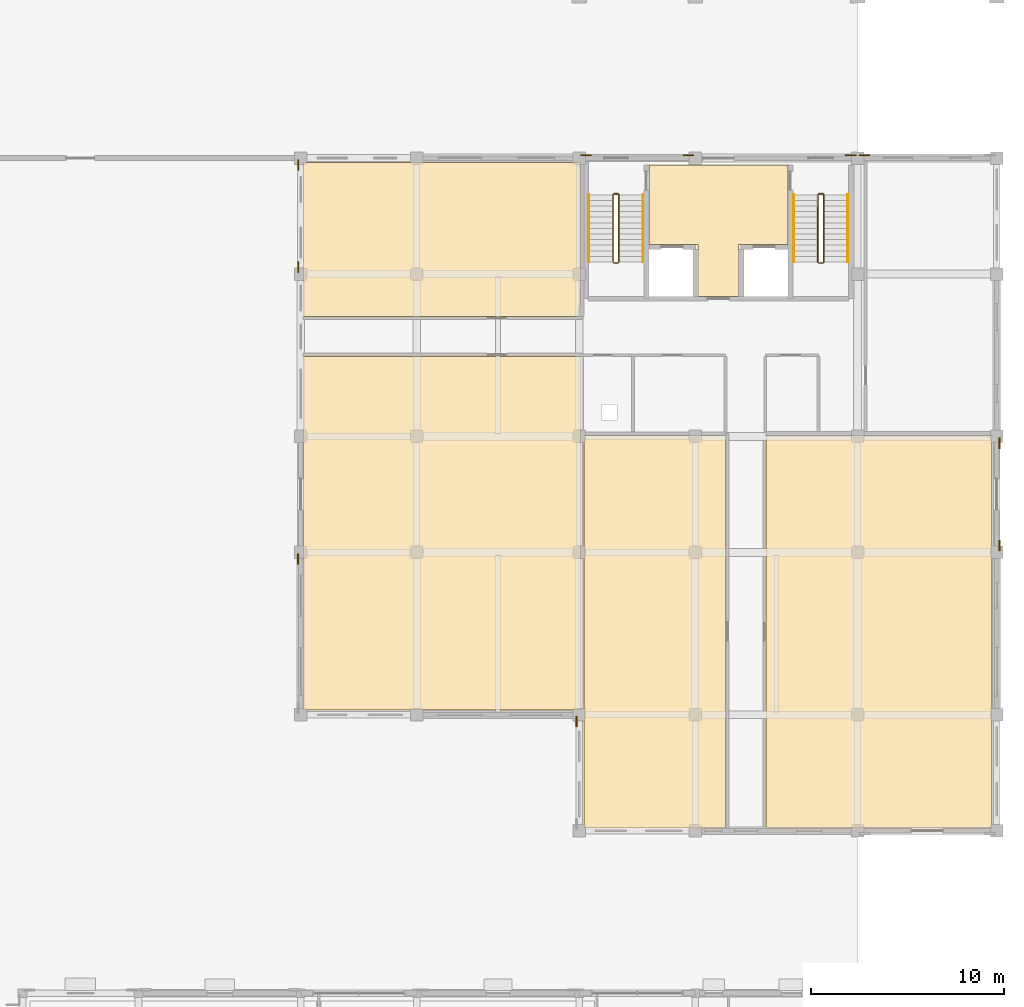
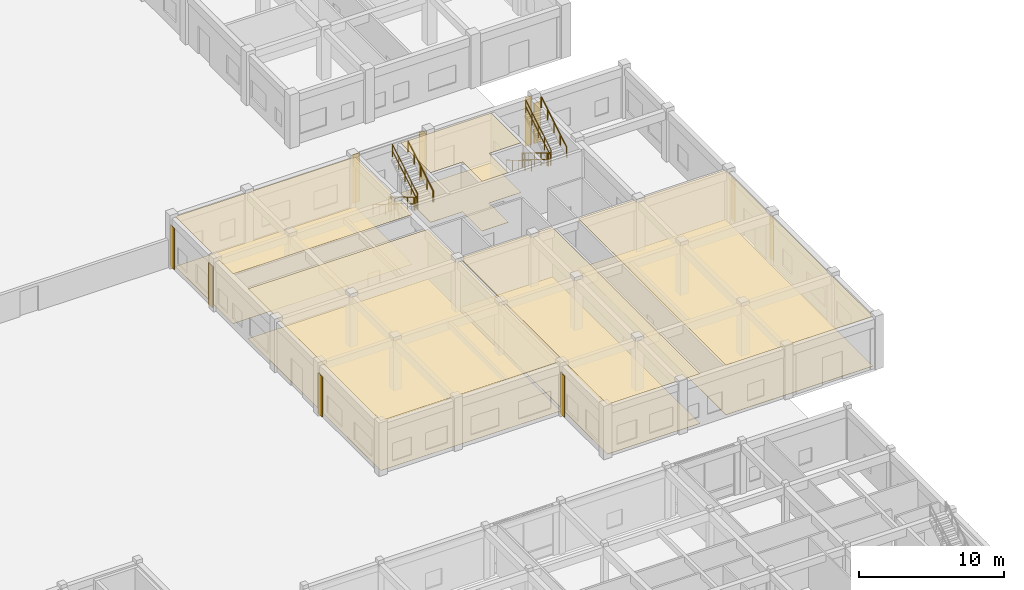
# One storey, part 64 of 67: 20 coverings, 12 railings.
"""IFC4 building model written with IfcOpenShell, lengths in metres."""

from ifc_helpers import new_model, si_unit, direction, frame, origin, origin_2d, place, context, subcontext, project, spatial, polyline, rectangle, outline, extrude, material, layer, layer_set, type_object, element, save


model = new_model("IFC4")

# Units and contexts
model_context = context("Model", 3, precision=1e-05, world=origin(), true_north=direction((0.0, 1.0)))
body_context = subcontext(model_context, "Body", "Model", "MODEL_VIEW")
ifc_project = project(units=[si_unit("LENGTHUNIT", "METRE"), si_unit("AREAUNIT", "SQUARE_METRE"), si_unit("VOLUMEUNIT", "CUBIC_METRE"), si_unit("PLANEANGLEUNIT", "RADIAN"), si_unit("MASSUNIT", "GRAM", prefix="KILO"), si_unit("THERMODYNAMICTEMPERATUREUNIT", "KELVIN")], contexts=[model_context])

# Site, building, storey
site_placement = place(None, origin())
site = spatial("IfcSite", under=ifc_project, at=site_placement, CompositionType="ELEMENT")
building_placement = place(site_placement, origin())
building = spatial("IfcBuilding", under=site, at=building_placement, Name="Thalorik Housing Commons", CompositionType="ELEMENT")
storey_placement = place(building_placement, origin())
storey = spatial("IfcBuildingStorey", under=building, at=storey_placement, Name="L00", CompositionType="ELEMENT", Elevation=0.0)

# Coverings
ifc_material_1 = material(Name="Cobalt blue glazed ceramic facade tile panel", Category="masonry")
ifc_layer_1 = layer(ifc_material_1, 0.06005859375, Name="Cobalt blue glazed ceramic facade tile panel", Category="masonry")
ifc_layer_set_1 = layer_set([ifc_layer_1], Name="Cobalt blue glazed ceramic facade tile panel")
covering_type_1 = type_object("IfcCoveringType", Name="ARC-CLD-BLU-60", PredefinedType="CLADDING", material=ifc_layer_set_1)
covering_1_placement = place(storey_placement, frame((152.260498046875, 42.85009765625, 0.0498046875), z_axis=(0.0, 0.0, 1.0), x_axis=(0.0, -1.0, 0.0)))
element("IfcCovering", 1, at=covering_1_placement, inside=storey, type_object=covering_type_1, Name="L00 Architectural Facade Cladding 4529", PredefinedType="CLADDING", context=body_context, shape_type="SweptSolid", body=[
    extrude(rectangle(XDim=0.550048828125, YDim=0.06005859375, at=origin_2d()), origin(), (0.0, 0.0, 1.0), 3.485107421875),
])
covering_2_placement = place(storey_placement, frame((166.449951171875, 72.139404296875, 0.050048828125), z_axis=(0.0, 0.0, 1.0), x_axis=(-1.0, 0.0, 0.0)))
element("IfcCovering", 2, at=covering_2_placement, inside=storey, type_object=covering_type_1, Name="L00 Architectural Facade Cladding 4537", PredefinedType="CLADDING", context=body_context, shape_type="SweptSolid", body=[
    extrude(rectangle(XDim=0.550048828125, YDim=0.06005859375, at=origin_2d()), origin(), (0.0, 0.0, 1.0), 4.10009765625),
])
ifc_material_2 = material(Name="Precast concrete C40/50", Category="concrete")
ifc_layer_2 = layer(ifc_material_2, 0.074951171875, Name="Precast concrete C40/50", Category="concrete")
ifc_layer_set_2 = layer_set([ifc_layer_2], Name="Precast concrete C40/50")
covering_type_2 = type_object("IfcCoveringType", Name="ARC-CLD-PIER-75", PredefinedType="CLADDING", material=ifc_layer_set_2)
covering_3_placement = place(storey_placement, frame((137.85302734375, 51.25, 0.0498046875), z_axis=(0.0, 0.0, 1.0), x_axis=(0.0, -1.0, 0.0)))
element("IfcCovering", 3, at=covering_3_placement, inside=storey, type_object=covering_type_2, Name="L00 Architectural Facade Cladding 4527", PredefinedType="CLADDING", context=body_context, shape_type="SweptSolid", body=[
    extrude(rectangle(XDim=0.550048828125, YDim=0.074951171875, at=origin_2d()), origin(), (0.0, 0.0, 1.0), 3.385009765625),
])
ifc_material_3 = material(Name="Terracotta red mineral fibre-cement panel", Category="masonry")
ifc_layer_3 = layer(ifc_material_3, 0.054931640625, Name="Terracotta red mineral fibre-cement panel", Category="masonry")
ifc_layer_set_3 = layer_set([ifc_layer_3], Name="Terracotta red mineral fibre-cement panel")
covering_type_3 = type_object("IfcCoveringType", Name="ARC-CLD-RED-55", PredefinedType="CLADDING", material=ifc_layer_set_3)
for number, where, z_axis, x_axis, name in (
    (4, (137.863037109375, 71.64990234375, 0.0498046875), (0.0, 0.0, 1.0), (0.0, -1.0, 0.0), "L00 Architectural Facade Cladding 4525"),
    (5, (137.863037109375, 66.35009765625, 0.0498046875), (0.0, 0.0, 1.0), (0.0, -1.0, 0.0), "L00 Architectural Facade Cladding 4526"),
):
    element("IfcCovering", number, at=place(storey_placement, frame(where, z_axis=z_axis, x_axis=x_axis)), inside=storey, type_object=covering_type_3, Name=name, PredefinedType="CLADDING", context=body_context, shape_type="SweptSolid", body=[
        extrude(rectangle(XDim=0.550048828125, YDim=0.054931640625, at=origin_2d()), origin(), (0.0, 0.0, 1.0), 3.485107421875),
    ])
covering_4_placement = place(storey_placement, frame((167.14990234375, 72.136962890625, 0.0498046875), z_axis=(0.0, 0.0, 1.0), x_axis=(-1.0, 0.0, 0.0)))
element("IfcCovering", 6, at=covering_4_placement, inside=storey, type_object=covering_type_3, Name="L00 Architectural Facade Cladding 4536", PredefinedType="CLADDING", context=body_context, shape_type="SweptSolid", body=[
    extrude(rectangle(XDim=0.550048828125, YDim=0.054931640625, at=origin_2d()), origin(), (0.0, 0.0, 1.0), 3.385009765625),
])
ifc_material_4 = material(Name="Mineral ochre architectural terracotta panel", Category="masonry")
ifc_layer_4 = layer(ifc_material_4, 0.06494140625, Name="Mineral ochre architectural terracotta panel", Category="masonry")
ifc_layer_set_4 = layer_set([ifc_layer_4], Name="Mineral ochre architectural terracotta panel")
covering_type_4 = type_object("IfcCoveringType", Name="ARC-CLD-YEL-65", PredefinedType="CLADDING", material=ifc_layer_set_4)
for number, where, z_axis, x_axis, name in (
    (7, (174.14208984375, 51.949951171875, 0.0498046875), (0.0, 0.0, 1.0), (0.0, 1.0, 0.0), "L00 Architectural Facade Cladding 4533"),
    (8, (174.14208984375, 57.25, 0.0498046875), (0.0, 0.0, 1.0), (0.0, 1.0, 0.0), "L00 Architectural Facade Cladding 4534"),
):
    element("IfcCovering", number, at=place(storey_placement, frame(where, z_axis=z_axis, x_axis=x_axis)), inside=storey, type_object=covering_type_4, Name=name, PredefinedType="CLADDING", context=body_context, shape_type="SweptSolid", body=[
        extrude(rectangle(XDim=0.550048828125, YDim=0.06494140625, at=origin_2d()), origin(), (0.0, 0.0, 1.0), 3.485107421875),
    ])
for number, where, z_axis, x_axis, name in (
    (9, (158.050048828125, 72.14208984375, 0.050048828125), (0.0, 0.0, 1.0), (-1.0, 0.0, 0.0), "L00 Architectural Facade Cladding 4538"),
    (10, (152.75, 72.14208984375, 0.050048828125), (0.0, 0.0, 1.0), (-1.0, 0.0, 0.0), "L00 Architectural Facade Cladding 4539"),
):
    element("IfcCovering", number, at=place(storey_placement, frame(where, z_axis=z_axis, x_axis=x_axis)), inside=storey, type_object=covering_type_4, Name=name, PredefinedType="CLADDING", context=body_context, shape_type="SweptSolid", body=[
        extrude(rectangle(XDim=0.550048828125, YDim=0.06494140625, at=origin_2d()), origin(), (0.0, 0.0, 1.0), 4.10009765625),
    ])
ifc_material_5 = material(Name="Perforated acoustic gypsum ceiling board")
ifc_layer_5 = layer(ifc_material_5, 0.014892578125, Name="Perforated acoustic gypsum ceiling board")
ifc_layer_set_5 = layer_set([ifc_layer_5], Name="Perforated acoustic gypsum ceiling board")
covering_type_5 = type_object("IfcCoveringType", Name="ARC-COV-CEIL-01", PredefinedType="CEILING", material=ifc_layer_set_5)
covering_5_placement = place(storey_placement, frame((0.0, 0.0, 4.18505859375)))
element("IfcCovering", 11, at=covering_5_placement, inside=storey, type_object=covering_type_5, Name="L00 Residents Lounge Suspended Ceiling", PredefinedType="CEILING", context=body_context, shape_type="SweptSolid", body=[
    extrude(outline(polyline([(152.4599609375, 43.43994140625), (152.4599609375, 61.739990234375), (138.139892578125, 61.739990234375), (138.139892578125, 43.43994140625), (152.4599609375, 43.43994140625)])), origin(), (0.0, 0.0, 1.0), 0.014892578125),
])
ifc_material_6 = material(Name="Mineral fibre acoustic ceiling tile")
ifc_layer_6 = layer(ifc_material_6, 0.01806640625, Name="Mineral fibre acoustic ceiling tile")
ifc_layer_set_6 = layer_set([ifc_layer_6], Name="Mineral fibre acoustic ceiling tile")
covering_type_6 = type_object("IfcCoveringType", Name="ARC-COV-CEIL-02", PredefinedType="CEILING", material=ifc_layer_set_6)
covering_6_placement = place(storey_placement, frame((0.0, 0.0, 4.181884765625)))
element("IfcCovering", 12, at=covering_6_placement, inside=storey, type_object=covering_type_6, Name="L00 Residents Cooperative Library Suspended Ceiling", PredefinedType="CEILING", context=body_context, shape_type="SweptSolid", body=[
    extrude(outline(polyline([(138.139892578125, 63.800048828125), (152.385009765625, 63.800048828125), (152.38671875, 64.357177734375), (152.400146484375, 64.364990234375), (152.4599609375, 64.364990234375), (152.4599609375, 71.760009765625), (138.139892578125, 71.760009765625), (138.139892578125, 63.800048828125)])), origin(), (0.0, 0.0, 1.0), 0.01806640625),
])
ifc_material_7 = material(Name="Slatted timber acoustic hall baffle ceiling", Category="wood")
ifc_layer_7 = layer(ifc_material_7, 0.02197265625, Name="Slatted timber acoustic hall baffle ceiling", Category="wood")
ifc_layer_set_7 = layer_set([ifc_layer_7], Name="Slatted timber acoustic hall baffle ceiling")
covering_type_7 = type_object("IfcCoveringType", Name="ARC-COV-CEIL-03", PredefinedType="CEILING", material=ifc_layer_set_7)
covering_7_placement = place(storey_placement, frame((0.0, 0.0, 4.177978515625)))
element("IfcCovering", 13, at=covering_7_placement, inside=storey, type_object=covering_type_7, Name="L00 Block D Lift Lobby Suspended Ceiling", PredefinedType="CEILING", context=body_context, shape_type="SweptSolid", body=[
    extrude(outline(polyline([(158.550048828125, 64.85009765625), (160.64990234375, 64.85009765625), (160.650146484375, 67.52001953125), (163.199951171875, 67.52001953125), (163.199951171875, 71.64990234375), (156.0, 71.64990234375), (156.0, 67.52001953125), (158.550048828125, 67.52001953125), (158.550048828125, 64.85009765625)])), origin(), (0.0, 0.0, 1.0), 0.02197265625),
])
ifc_material_8 = material(Name="Fire-rated calcium silicate corridor ceiling")
ifc_layer_8 = layer(ifc_material_8, 0.030029296875, Name="Fire-rated calcium silicate corridor ceiling")
ifc_layer_set_8 = layer_set([ifc_layer_8], Name="Fire-rated calcium silicate corridor ceiling")
covering_type_8 = type_object("IfcCoveringType", Name="ARC-COV-CEIL-05", PredefinedType="CEILING", material=ifc_layer_set_8)
covering_8_placement = place(storey_placement, frame((0.0, 0.0, 4.169921875)))
element("IfcCovering", 14, at=covering_8_placement, inside=storey, type_object=covering_type_8, Name="L00 Residents Lounge Suspended Ceiling", PredefinedType="CEILING", context=body_context, shape_type="SweptSolid", body=[
    extrude(outline(polyline([(160.0, 57.659912109375), (152.639892578125, 57.659912109375), (152.639892578125, 37.340087890625), (160.0, 37.340087890625), (160.0, 57.659912109375)])), origin(), (0.0, 0.0, 1.0), 0.030029296875),
])
ifc_material_9 = material(Name="Acoustic wood-wool nursery ceiling panel", Category="wood")
ifc_layer_9 = layer(ifc_material_9, 0.035888671875, Name="Acoustic wood-wool nursery ceiling panel", Category="wood")
ifc_layer_set_9 = layer_set([ifc_layer_9], Name="Acoustic wood-wool nursery ceiling panel")
covering_type_9 = type_object("IfcCoveringType", Name="ARC-COV-CEIL-06", PredefinedType="CEILING", material=ifc_layer_set_9)
covering_9_placement = place(storey_placement, frame((0.0, 0.0, 4.1640625)))
element("IfcCovering", 15, at=covering_9_placement, inside=storey, type_object=covering_type_9, Name="L00 Residents Cooperative Library Suspended Ceiling", PredefinedType="CEILING", context=body_context, shape_type="SweptSolid", body=[
    extrude(outline(polyline([(173.760009765625, 57.659912109375), (162.06005859375, 57.659912109375), (162.06005859375, 37.340087890625), (173.760009765625, 37.340087890625), (173.760009765625, 57.659912109375)])), origin(), (0.0, 0.0, 1.0), 0.035888671875),
])
ifc_material_10 = material(Name="Glazed Recife ceramic apartment floor tile")
ifc_layer_10 = layer(ifc_material_10, 0.011962890625, Name="Glazed Recife ceramic apartment floor tile")
ifc_layer_set_10 = layer_set([ifc_layer_10], Name="Glazed Recife ceramic apartment floor tile")
covering_type_10 = type_object("IfcCoveringType", Name="ARC-COV-FLR-01", PredefinedType="FLOORING", material=ifc_layer_set_10)
covering_10_placement = place(storey_placement, origin())
element("IfcCovering", 16, at=covering_10_placement, inside=storey, type_object=covering_type_10, Name="L00 Residents Lounge Flooring", PredefinedType="FLOORING", context=body_context, shape_type="SweptSolid", body=[
    extrude(outline(polyline([(152.4599609375, 43.43994140625), (152.4599609375, 61.739990234375), (138.139892578125, 61.739990234375), (138.139892578125, 43.43994140625), (152.4599609375, 43.43994140625)])), origin(), (0.0, 0.0, 1.0), 0.011962890625),
])
ifc_material_11 = material(Name="Slip-resistant quarry terracotta corridor tile", Category="masonry")
ifc_layer_11 = layer(ifc_material_11, 0.01611328125, Name="Slip-resistant quarry terracotta corridor tile", Category="masonry")
ifc_layer_set_11 = layer_set([ifc_layer_11], Name="Slip-resistant quarry terracotta corridor tile")
covering_type_11 = type_object("IfcCoveringType", Name="ARC-COV-FLR-02", PredefinedType="FLOORING", material=ifc_layer_set_11)
covering_11_placement = place(storey_placement, origin())
element("IfcCovering", 17, at=covering_11_placement, inside=storey, type_object=covering_type_11, Name="L00 Residents Cooperative Library Flooring", PredefinedType="FLOORING", context=body_context, shape_type="SweptSolid", body=[
    extrude(outline(polyline([(138.139892578125, 63.800048828125), (152.385009765625, 63.800048828125), (152.38671875, 64.357177734375), (152.400146484375, 64.364990234375), (152.4599609375, 64.364990234375), (152.4599609375, 71.760009765625), (138.139892578125, 71.760009765625), (138.139892578125, 63.800048828125)])), origin(), (0.0, 0.0, 1.0), 0.01611328125),
])
ifc_material_12 = material(Name="Cushioned natural linoleum nursery playroom flooring")
ifc_layer_12 = layer(ifc_material_12, 0.02001953125, Name="Cushioned natural linoleum nursery playroom flooring")
ifc_layer_set_12 = layer_set([ifc_layer_12], Name="Cushioned natural linoleum nursery playroom flooring")
covering_type_12 = type_object("IfcCoveringType", Name="ARC-COV-FLR-03", PredefinedType="FLOORING", material=ifc_layer_set_12)
covering_12_placement = place(storey_placement, origin())
element("IfcCovering", 18, at=covering_12_placement, inside=storey, type_object=covering_type_12, Name="L00 Block D Lift Lobby Flooring", PredefinedType="FLOORING", context=body_context, shape_type="SweptSolid", body=[
    extrude(outline(polyline([(158.550048828125, 64.85009765625), (160.64990234375, 64.85009765625), (160.650146484375, 67.52001953125), (163.199951171875, 67.52001953125), (163.199951171875, 71.64990234375), (156.0, 71.64990234375), (156.0, 67.52001953125), (158.550048828125, 67.52001953125), (158.550048828125, 64.85009765625)])), origin(), (0.0, 0.0, 1.0), 0.02001953125),
])
ifc_material_13 = material(Name="Heavy-duty porcelain metro vestibule tile")
ifc_layer_13 = layer(ifc_material_13, 0.028076171875, Name="Heavy-duty porcelain metro vestibule tile")
ifc_layer_set_13 = layer_set([ifc_layer_13], Name="Heavy-duty porcelain metro vestibule tile")
covering_type_13 = type_object("IfcCoveringType", Name="ARC-COV-FLR-05", PredefinedType="FLOORING", material=ifc_layer_set_13)
covering_13_placement = place(storey_placement, origin())
element("IfcCovering", 19, at=covering_13_placement, inside=storey, type_object=covering_type_13, Name="L00 Residents Lounge Flooring", PredefinedType="FLOORING", context=body_context, shape_type="SweptSolid", body=[
    extrude(outline(polyline([(160.0, 57.659912109375), (152.639892578125, 57.659912109375), (152.639892578125, 37.340087890625), (160.0, 37.340087890625), (160.0, 57.659912109375)])), origin(), (0.0, 0.0, 1.0), 0.028076171875),
])
ifc_material_14 = material(Name="Epoxy-sealed concrete plant and bicycle hub finish", Category="concrete")
ifc_layer_14 = layer(ifc_material_14, 0.031982421875, Name="Epoxy-sealed concrete plant and bicycle hub finish", Category="concrete")
ifc_layer_set_14 = layer_set([ifc_layer_14], Name="Epoxy-sealed concrete plant and bicycle hub finish")
covering_type_14 = type_object("IfcCoveringType", Name="ARC-COV-FLR-06", PredefinedType="FLOORING", material=ifc_layer_set_14)
covering_14_placement = place(storey_placement, origin())
element("IfcCovering", 20, at=covering_14_placement, inside=storey, type_object=covering_type_14, Name="L00 Residents Cooperative Library Flooring", PredefinedType="FLOORING", context=body_context, shape_type="SweptSolid", body=[
    extrude(outline(polyline([(173.760009765625, 57.659912109375), (162.06005859375, 57.659912109375), (162.06005859375, 37.340087890625), (173.760009765625, 37.340087890625), (173.760009765625, 57.659912109375)])), origin(), (0.0, 0.0, 1.0), 0.031982421875),
])

# Railings
ifc_material_15 = material(Name="Steel S355", Category="steel")
railing_type_1 = type_object("IfcRailingType", Name="ARC-RL-STR-GRD110", PredefinedType="GUARDRAIL", material=ifc_material_15)
railing_1_placement = place(storey_placement, frame((154.14990234375, 70.10009765625, 0.173095703125)))
element("IfcRailing", 21, at=railing_1_placement, inside=storey, type_object=railing_type_1, Name="L00 ST-D1 stair guard 1", PredefinedType="GUARDRAIL", context=body_context, shape_type="SweptSolid", body=[
    extrude(rectangle(XDim=0.048095703125, YDim=0.048095703125, at=origin_2d()), frame((0.0, 0.0, 1.076171875), z_axis=(0.0, -0.858697190188, 0.512483302717), x_axis=(1.0, 0.0, 0.0)), (0.0, 0.0, 1.0), 4.052734375),
    extrude(rectangle(XDim=0.048095703125, YDim=0.048095703125, at=origin_2d()), frame((0.0, 0.0, 0.52587890625), z_axis=(0.0, -0.858697190188, 0.512483302717), x_axis=(1.0, 0.0, 0.0)), (0.0, 0.0, 1.0), 4.052734375),
    extrude(rectangle(XDim=0.0419921875, YDim=0.0419921875, at=origin_2d()), origin(), (0.0, 0.0, 1.0), 1.052001953125),
    extrude(rectangle(XDim=0.0419921875, YDim=0.0419921875, at=origin_2d()), frame((0.0, -0.8701171875, 0.519287109375)), (0.0, 0.0, 1.0), 1.052001953125),
    extrude(rectangle(XDim=0.0419921875, YDim=0.0419921875, at=origin_2d()), frame((0.0, -1.739990234375, 1.03857421875)), (0.0, 0.0, 1.0), 1.052001953125),
    extrude(rectangle(XDim=0.0419921875, YDim=0.0419921875, at=origin_2d()), frame((0.0, -2.60986328125, 1.5576171875)), (0.0, 0.0, 1.0), 1.052001953125),
    extrude(rectangle(XDim=0.0419921875, YDim=0.0419921875, at=origin_2d()), frame((0.0, -3.47998046875, 2.076904296875)), (0.0, 0.0, 1.0), 1.052001953125),
])
railing_2_placement = place(storey_placement, frame((154.199951171875, 66.570068359375, 2.25)))
element("IfcRailing", 22, at=railing_2_placement, inside=storey, type_object=railing_type_1, Name="L00 ST-D1 stair guard 2", PredefinedType="GUARDRAIL", context=body_context, shape_type="SweptSolid", body=[
    extrude(rectangle(XDim=0.048095703125, YDim=0.048095703125, at=origin_2d()), frame((0.0, 0.0, 1.076171875), z_axis=(1.0, 0.0, 0.0), x_axis=(0.0, 1.0, 0.0)), (0.0, 0.0, 1.0), 0.199951171875),
    extrude(rectangle(XDim=0.048095703125, YDim=0.048095703125, at=origin_2d()), frame((0.0, 0.0, 0.52587890625), z_axis=(1.0, 0.0, 0.0), x_axis=(0.0, 1.0, 0.0)), (0.0, 0.0, 1.0), 0.199951171875),
    extrude(rectangle(XDim=0.0419921875, YDim=0.0419921875, at=origin_2d()), origin(), (0.0, 0.0, 1.0), 1.052001953125),
    extrude(rectangle(XDim=0.0419921875, YDim=0.0419921875, at=origin_2d()), frame((0.199951171875, 0.0, 0.0)), (0.0, 0.0, 1.0), 1.052001953125),
])
railing_3_placement = place(storey_placement, frame((154.449951171875, 66.6201171875, 2.423095703125)))
element("IfcRailing", 23, at=railing_3_placement, inside=storey, type_object=railing_type_1, Name="L00 ST-D1 stair guard 3", PredefinedType="GUARDRAIL", context=body_context, shape_type="SweptSolid", body=[
    extrude(rectangle(XDim=0.048095703125, YDim=0.048095703125, at=origin_2d()), frame((0.0, 0.0, 1.076171875), z_axis=(0.0, 0.858697190188, 0.512483302717), x_axis=(-1.0, 0.0, 0.0)), (0.0, 0.0, 1.0), 4.052734375),
    extrude(rectangle(XDim=0.048095703125, YDim=0.048095703125, at=origin_2d()), frame((0.0, 0.0, 0.52587890625), z_axis=(0.0, 0.858697190188, 0.512483302717), x_axis=(-1.0, 0.0, 0.0)), (0.0, 0.0, 1.0), 4.052734375),
    extrude(rectangle(XDim=0.0419921875, YDim=0.0419921875, at=origin_2d()), origin(), (0.0, 0.0, 1.0), 1.052001953125),
    extrude(rectangle(XDim=0.0419921875, YDim=0.0419921875, at=origin_2d()), frame((0.0, 0.8701171875, 0.519287109375)), (0.0, 0.0, 1.0), 1.052001953125),
    extrude(rectangle(XDim=0.0419921875, YDim=0.0419921875, at=origin_2d()), frame((0.0, 1.739990234375, 1.03857421875)), (0.0, 0.0, 1.0), 1.052001953125),
    extrude(rectangle(XDim=0.0419921875, YDim=0.0419921875, at=origin_2d()), frame((0.0, 2.60986328125, 1.5576171875)), (0.0, 0.0, 1.0), 1.052001953125),
    extrude(rectangle(XDim=0.0419921875, YDim=0.0419921875, at=origin_2d()), frame((0.0, 3.47998046875, 2.076904296875)), (0.0, 0.0, 1.0), 1.052001953125),
])
railing_4_placement = place(storey_placement, frame((154.199951171875, 70.14990234375, 0.0)))
element("IfcRailing", 24, at=railing_4_placement, inside=storey, type_object=railing_type_1, Name="L00 ST-D1 stair guard 4", PredefinedType="GUARDRAIL", context=body_context, shape_type="SweptSolid", body=[
    extrude(rectangle(XDim=0.048095703125, YDim=0.048095703125, at=origin_2d()), frame((0.0, 0.0, 1.076171875), z_axis=(1.0, 0.0, 0.0), x_axis=(0.0, 1.0, 0.0)), (0.0, 0.0, 1.0), 0.199951171875),
    extrude(rectangle(XDim=0.048095703125, YDim=0.048095703125, at=origin_2d()), frame((0.0, 0.0, 0.52587890625), z_axis=(1.0, 0.0, 0.0), x_axis=(0.0, 1.0, 0.0)), (0.0, 0.0, 1.0), 0.199951171875),
    extrude(rectangle(XDim=0.0419921875, YDim=0.0419921875, at=origin_2d()), origin(), (0.0, 0.0, 1.0), 1.052001953125),
    extrude(rectangle(XDim=0.0419921875, YDim=0.0419921875, at=origin_2d()), frame((0.199951171875, 0.0, 0.0)), (0.0, 0.0, 1.0), 1.052001953125),
])
railing_5_placement = place(storey_placement, frame((164.75, 70.10009765625, 0.173095703125)))
element("IfcRailing", 25, at=railing_5_placement, inside=storey, type_object=railing_type_1, Name="L00 ST-D2 stair guard 1", PredefinedType="GUARDRAIL", context=body_context, shape_type="SweptSolid", body=[
    extrude(rectangle(XDim=0.048095703125, YDim=0.048095703125, at=origin_2d()), frame((0.0, 0.0, 1.076171875), z_axis=(0.0, -0.858697190188, 0.512483302717), x_axis=(1.0, 0.0, 0.0)), (0.0, 0.0, 1.0), 4.052734375),
    extrude(rectangle(XDim=0.048095703125, YDim=0.048095703125, at=origin_2d()), frame((0.0, 0.0, 0.52587890625), z_axis=(0.0, -0.858697190188, 0.512483302717), x_axis=(1.0, 0.0, 0.0)), (0.0, 0.0, 1.0), 4.052734375),
    extrude(rectangle(XDim=0.0419921875, YDim=0.0419921875, at=origin_2d()), origin(), (0.0, 0.0, 1.0), 1.052001953125),
    extrude(rectangle(XDim=0.0419921875, YDim=0.0419921875, at=origin_2d()), frame((0.0, -0.8701171875, 0.519287109375)), (0.0, 0.0, 1.0), 1.052001953125),
    extrude(rectangle(XDim=0.0419921875, YDim=0.0419921875, at=origin_2d()), frame((0.0, -1.739990234375, 1.03857421875)), (0.0, 0.0, 1.0), 1.052001953125),
    extrude(rectangle(XDim=0.0419921875, YDim=0.0419921875, at=origin_2d()), frame((0.0, -2.60986328125, 1.5576171875)), (0.0, 0.0, 1.0), 1.052001953125),
    extrude(rectangle(XDim=0.0419921875, YDim=0.0419921875, at=origin_2d()), frame((0.0, -3.47998046875, 2.076904296875)), (0.0, 0.0, 1.0), 1.052001953125),
])
railing_6_placement = place(storey_placement, frame((164.800048828125, 66.570068359375, 2.25)))
element("IfcRailing", 26, at=railing_6_placement, inside=storey, type_object=railing_type_1, Name="L00 ST-D2 stair guard 2", PredefinedType="GUARDRAIL", context=body_context, shape_type="SweptSolid", body=[
    extrude(rectangle(XDim=0.048095703125, YDim=0.048095703125, at=origin_2d()), frame((0.0, 0.0, 1.076171875), z_axis=(1.0, 0.0, 0.0), x_axis=(0.0, 1.0, 0.0)), (0.0, 0.0, 1.0), 0.199951171875),
    extrude(rectangle(XDim=0.048095703125, YDim=0.048095703125, at=origin_2d()), frame((0.0, 0.0, 0.52587890625), z_axis=(1.0, 0.0, 0.0), x_axis=(0.0, 1.0, 0.0)), (0.0, 0.0, 1.0), 0.199951171875),
    extrude(rectangle(XDim=0.0419921875, YDim=0.0419921875, at=origin_2d()), origin(), (0.0, 0.0, 1.0), 1.052001953125),
    extrude(rectangle(XDim=0.0419921875, YDim=0.0419921875, at=origin_2d()), frame((0.199951171875, 0.0, 0.0)), (0.0, 0.0, 1.0), 1.052001953125),
])
railing_7_placement = place(storey_placement, frame((165.050048828125, 66.6201171875, 2.423095703125)))
element("IfcRailing", 27, at=railing_7_placement, inside=storey, type_object=railing_type_1, Name="L00 ST-D2 stair guard 3", PredefinedType="GUARDRAIL", context=body_context, shape_type="SweptSolid", body=[
    extrude(rectangle(XDim=0.048095703125, YDim=0.048095703125, at=origin_2d()), frame((0.0, 0.0, 1.076171875), z_axis=(0.0, 0.858697190188, 0.512483302717), x_axis=(-1.0, 0.0, 0.0)), (0.0, 0.0, 1.0), 4.052734375),
    extrude(rectangle(XDim=0.048095703125, YDim=0.048095703125, at=origin_2d()), frame((0.0, 0.0, 0.52587890625), z_axis=(0.0, 0.858697190188, 0.512483302717), x_axis=(-1.0, 0.0, 0.0)), (0.0, 0.0, 1.0), 4.052734375),
    extrude(rectangle(XDim=0.0419921875, YDim=0.0419921875, at=origin_2d()), origin(), (0.0, 0.0, 1.0), 1.052001953125),
    extrude(rectangle(XDim=0.0419921875, YDim=0.0419921875, at=origin_2d()), frame((0.0, 0.8701171875, 0.519287109375)), (0.0, 0.0, 1.0), 1.052001953125),
    extrude(rectangle(XDim=0.0419921875, YDim=0.0419921875, at=origin_2d()), frame((0.0, 1.739990234375, 1.03857421875)), (0.0, 0.0, 1.0), 1.052001953125),
    extrude(rectangle(XDim=0.0419921875, YDim=0.0419921875, at=origin_2d()), frame((0.0, 2.60986328125, 1.5576171875)), (0.0, 0.0, 1.0), 1.052001953125),
    extrude(rectangle(XDim=0.0419921875, YDim=0.0419921875, at=origin_2d()), frame((0.0, 3.47998046875, 2.076904296875)), (0.0, 0.0, 1.0), 1.052001953125),
])
railing_8_placement = place(storey_placement, frame((164.800048828125, 70.14990234375, 0.0)))
element("IfcRailing", 28, at=railing_8_placement, inside=storey, type_object=railing_type_1, Name="L00 ST-D2 stair guard 4", PredefinedType="GUARDRAIL", context=body_context, shape_type="SweptSolid", body=[
    extrude(rectangle(XDim=0.048095703125, YDim=0.048095703125, at=origin_2d()), frame((0.0, 0.0, 1.076171875), z_axis=(1.0, 0.0, 0.0), x_axis=(0.0, 1.0, 0.0)), (0.0, 0.0, 1.0), 0.199951171875),
    extrude(rectangle(XDim=0.048095703125, YDim=0.048095703125, at=origin_2d()), frame((0.0, 0.0, 0.52587890625), z_axis=(1.0, 0.0, 0.0), x_axis=(0.0, 1.0, 0.0)), (0.0, 0.0, 1.0), 0.199951171875),
    extrude(rectangle(XDim=0.0419921875, YDim=0.0419921875, at=origin_2d()), origin(), (0.0, 0.0, 1.0), 1.052001953125),
    extrude(rectangle(XDim=0.0419921875, YDim=0.0419921875, at=origin_2d()), frame((0.199951171875, 0.0, 0.0)), (0.0, 0.0, 1.0), 1.052001953125),
])
railing_type_2 = type_object("IfcRailingType", Name="ARC-RL-STR-HR092", PredefinedType="HANDRAIL", material=ifc_material_15)
railing_9_placement = place(storey_placement, frame((152.89990234375, 70.10009765625, 0.173095703125)))
element("IfcRailing", 29, at=railing_9_placement, inside=storey, type_object=railing_type_2, Name="L00 ST-D1 stair handrail 1", PredefinedType="HANDRAIL", context=body_context, shape_type="SweptSolid", body=[
    extrude(rectangle(XDim=0.048095703125, YDim=0.048095703125, at=origin_2d()), frame((0.0, 0.0, 0.89599609375), z_axis=(0.0, -0.858697190188, 0.512483302717), x_axis=(1.0, 0.0, 0.0)), (0.0, 0.0, 1.0), 4.052734375),
    extrude(rectangle(XDim=0.0419921875, YDim=0.0419921875, at=origin_2d()), origin(), (0.0, 0.0, 1.0), 0.871826171875),
    extrude(rectangle(XDim=0.0419921875, YDim=0.0419921875, at=origin_2d()), frame((0.0, -0.8701171875, 0.519287109375)), (0.0, 0.0, 1.0), 0.871826171875),
    extrude(rectangle(XDim=0.0419921875, YDim=0.0419921875, at=origin_2d()), frame((0.0, -1.739990234375, 1.03857421875)), (0.0, 0.0, 1.0), 0.871826171875),
    extrude(rectangle(XDim=0.0419921875, YDim=0.0419921875, at=origin_2d()), frame((0.0, -2.60986328125, 1.5576171875)), (0.0, 0.0, 1.0), 0.871826171875),
    extrude(rectangle(XDim=0.0419921875, YDim=0.0419921875, at=origin_2d()), frame((0.0, -3.47998046875, 2.076904296875)), (0.0, 0.0, 1.0), 0.871826171875),
])
railing_10_placement = place(storey_placement, frame((155.699951171875, 66.6201171875, 2.423095703125)))
element("IfcRailing", 30, at=railing_10_placement, inside=storey, type_object=railing_type_2, Name="L00 ST-D1 stair handrail 2", PredefinedType="HANDRAIL", context=body_context, shape_type="SweptSolid", body=[
    extrude(rectangle(XDim=0.048095703125, YDim=0.048095703125, at=origin_2d()), frame((0.0, 0.0, 0.89599609375), z_axis=(0.0, 0.858697190188, 0.512483302717), x_axis=(-1.0, 0.0, 0.0)), (0.0, 0.0, 1.0), 4.052734375),
    extrude(rectangle(XDim=0.0419921875, YDim=0.0419921875, at=origin_2d()), origin(), (0.0, 0.0, 1.0), 0.871826171875),
    extrude(rectangle(XDim=0.0419921875, YDim=0.0419921875, at=origin_2d()), frame((0.0, 0.8701171875, 0.519287109375)), (0.0, 0.0, 1.0), 0.871826171875),
    extrude(rectangle(XDim=0.0419921875, YDim=0.0419921875, at=origin_2d()), frame((0.0, 1.739990234375, 1.03857421875)), (0.0, 0.0, 1.0), 0.871826171875),
    extrude(rectangle(XDim=0.0419921875, YDim=0.0419921875, at=origin_2d()), frame((0.0, 2.60986328125, 1.5576171875)), (0.0, 0.0, 1.0), 0.871826171875),
    extrude(rectangle(XDim=0.0419921875, YDim=0.0419921875, at=origin_2d()), frame((0.0, 3.47998046875, 2.076904296875)), (0.0, 0.0, 1.0), 0.871826171875),
])
railing_11_placement = place(storey_placement, frame((163.5, 70.10009765625, 0.173095703125)))
element("IfcRailing", 31, at=railing_11_placement, inside=storey, type_object=railing_type_2, Name="L00 ST-D2 stair handrail 1", PredefinedType="HANDRAIL", context=body_context, shape_type="SweptSolid", body=[
    extrude(rectangle(XDim=0.048095703125, YDim=0.048095703125, at=origin_2d()), frame((0.0, 0.0, 0.89599609375), z_axis=(0.0, -0.858697190188, 0.512483302717), x_axis=(1.0, 0.0, 0.0)), (0.0, 0.0, 1.0), 4.052734375),
    extrude(rectangle(XDim=0.0419921875, YDim=0.0419921875, at=origin_2d()), origin(), (0.0, 0.0, 1.0), 0.871826171875),
    extrude(rectangle(XDim=0.0419921875, YDim=0.0419921875, at=origin_2d()), frame((0.0, -0.8701171875, 0.519287109375)), (0.0, 0.0, 1.0), 0.871826171875),
    extrude(rectangle(XDim=0.0419921875, YDim=0.0419921875, at=origin_2d()), frame((0.0, -1.739990234375, 1.03857421875)), (0.0, 0.0, 1.0), 0.871826171875),
    extrude(rectangle(XDim=0.0419921875, YDim=0.0419921875, at=origin_2d()), frame((0.0, -2.60986328125, 1.5576171875)), (0.0, 0.0, 1.0), 0.871826171875),
    extrude(rectangle(XDim=0.0419921875, YDim=0.0419921875, at=origin_2d()), frame((0.0, -3.47998046875, 2.076904296875)), (0.0, 0.0, 1.0), 0.871826171875),
])
railing_12_placement = place(storey_placement, frame((166.300048828125, 66.6201171875, 2.423095703125)))
element("IfcRailing", 32, at=railing_12_placement, inside=storey, type_object=railing_type_2, Name="L00 ST-D2 stair handrail 2", PredefinedType="HANDRAIL", context=body_context, shape_type="SweptSolid", body=[
    extrude(rectangle(XDim=0.048095703125, YDim=0.048095703125, at=origin_2d()), frame((0.0, 0.0, 0.89599609375), z_axis=(0.0, 0.858697190188, 0.512483302717), x_axis=(-1.0, 0.0, 0.0)), (0.0, 0.0, 1.0), 4.052734375),
    extrude(rectangle(XDim=0.0419921875, YDim=0.0419921875, at=origin_2d()), origin(), (0.0, 0.0, 1.0), 0.871826171875),
    extrude(rectangle(XDim=0.0419921875, YDim=0.0419921875, at=origin_2d()), frame((0.0, 0.8701171875, 0.519287109375)), (0.0, 0.0, 1.0), 0.871826171875),
    extrude(rectangle(XDim=0.0419921875, YDim=0.0419921875, at=origin_2d()), frame((0.0, 1.739990234375, 1.03857421875)), (0.0, 0.0, 1.0), 0.871826171875),
    extrude(rectangle(XDim=0.0419921875, YDim=0.0419921875, at=origin_2d()), frame((0.0, 2.60986328125, 1.5576171875)), (0.0, 0.0, 1.0), 0.871826171875),
    extrude(rectangle(XDim=0.0419921875, YDim=0.0419921875, at=origin_2d()), frame((0.0, 3.47998046875, 2.076904296875)), (0.0, 0.0, 1.0), 0.871826171875),
])

save(model, "model.ifc")
